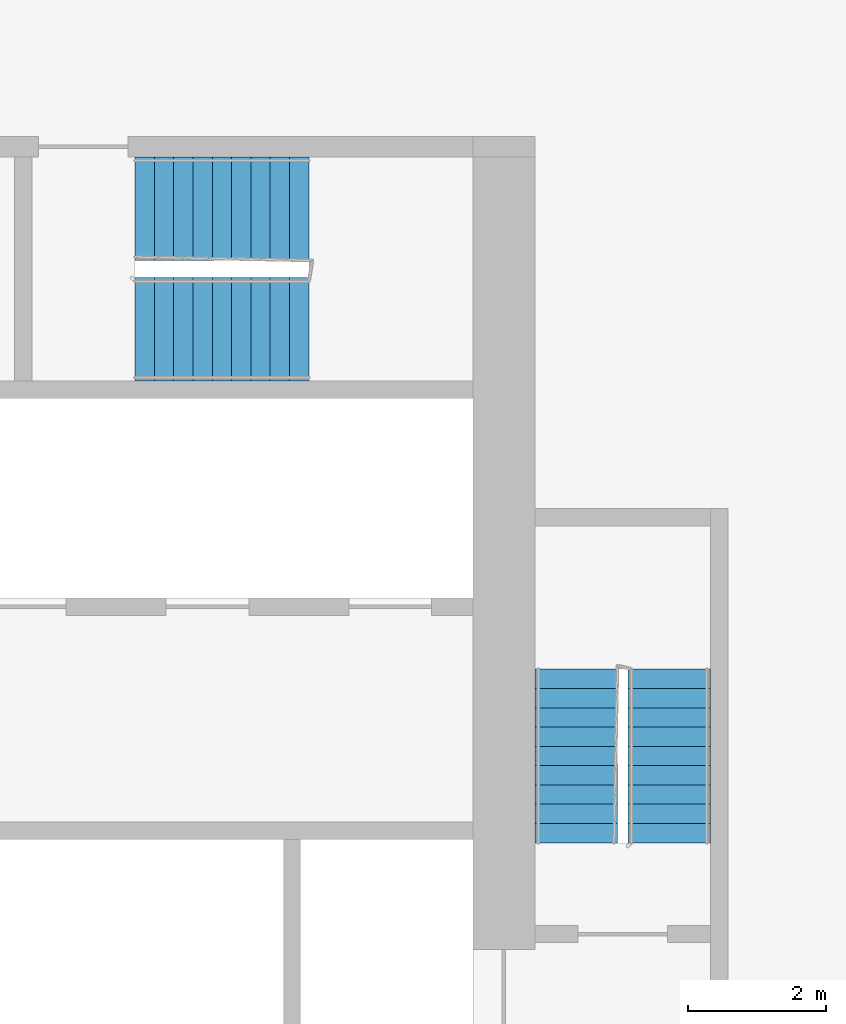
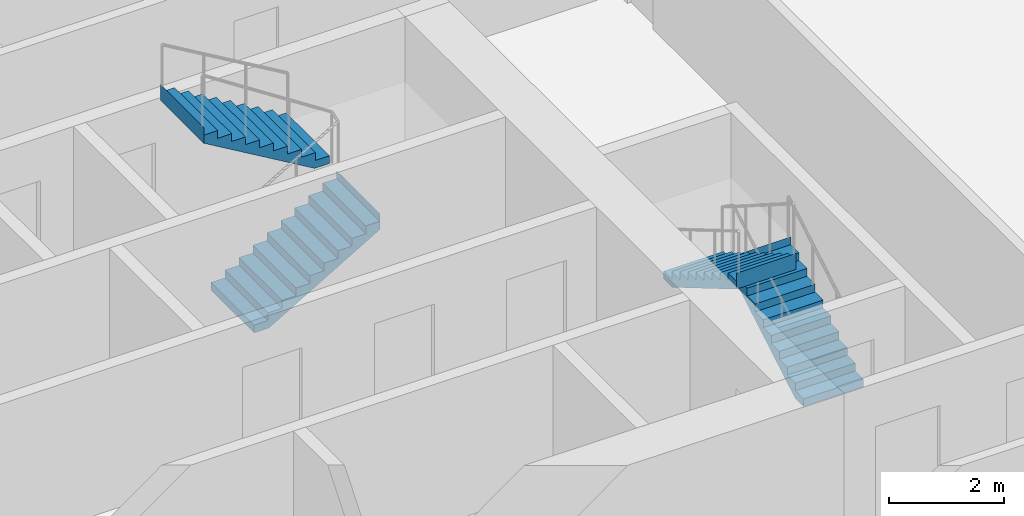
# One storey, part 11 of 12: 4 stair flights, 2 elements without a shape of their own.
"""IFC4 building model written with IfcOpenShell, lengths in metres."""

from ifc_helpers import new_model, si_unit, direction, frame, origin, place, context, subcontext, project, spatial, faceted_brep, material, type_object, element, aggregate, save


model = new_model("IFC4")

# Units and contexts
model_context = context("Model", 3, precision=1e-05, world=origin(), true_north=direction((0.0, 1.0)))
body_context = subcontext(model_context, "Body", "Model", "MODEL_VIEW")
ifc_project = project(units=[si_unit("LENGTHUNIT", "METRE"), si_unit("AREAUNIT", "SQUARE_METRE"), si_unit("VOLUMEUNIT", "CUBIC_METRE"), si_unit("PLANEANGLEUNIT", "RADIAN"), si_unit("MASSUNIT", "GRAM", prefix="KILO")], contexts=[model_context])

# Site, building, storey
site_placement = place(None, origin())
site = spatial("IfcSite", under=ifc_project, at=site_placement, CompositionType="ELEMENT")
building_placement = place(site_placement, origin())
building = spatial("IfcBuilding", under=site, at=building_placement, Name="Kajstack Hotel Tower", CompositionType="ELEMENT")
storey_placement = place(building_placement, frame((0.0, 0.0, 93.0)))
storey = spatial("IfcBuildingStorey", under=building, at=storey_placement, Name="L19", CompositionType="ELEMENT", Elevation=93.0)

# Stair, stair flights
ifc_material = material(Name="Concrete C40/50", Category="concrete")
stair_type_1 = type_object("IfcStairType", Name="Exit stair 1200", PredefinedType="HALF_TURN_STAIR", material=ifc_material)
stair_1_placement = place(storey_placement, origin())
stair_1 = element("IfcStair", 1, at=stair_1_placement, inside=storey, type_object=stair_type_1, Name="L19 stair E1", PredefinedType="HALF_TURN_STAIR")
stair_flight_type_1 = type_object("IfcStairFlightType", Name="Exit stair flight 1200", PredefinedType="STRAIGHT", material=ifc_material)
stair_flight_1_placement = place(storey_placement, frame((33.449951171875, 5.25, 0.0), z_axis=(0.0, 0.0, 1.0), x_axis=(0.0, 1.0, 0.0)))
stair_flight_1 = element("IfcStairFlight", 2, at=stair_flight_1_placement, type_object=stair_flight_type_1, Name="E1 flight 1", NumberOfRisers=10, NumberOfTreads=9, PredefinedType="STRAIGHT", RiserHeight=0.165, TreadLength=0.28, context=body_context, shape_type="Brep", body=[
    faceted_brep([(0.295654296875, -0.60009765625, 0.0), (2.5205078125, -0.60009765625, 1.31103515625), (2.5205078125, -0.60009765625, 1.64990234375), (2.52001953125, -0.60009765625, 1.64990234375), (2.52001953125, -0.60009765625, 1.485107421875), (2.239990234375, -0.60009765625, 1.485107421875), (2.239990234375, -0.60009765625, 1.320068359375), (1.9599609375, -0.60009765625, 1.320068359375), (1.9599609375, -0.60009765625, 1.155029296875), (1.679931640625, -0.60009765625, 1.155029296875), (1.679931640625, -0.60009765625, 0.989990234375), (1.39990234375, -0.60009765625, 0.989990234375), (1.39990234375, -0.60009765625, 0.824951171875), (1.1201171875, -0.60009765625, 0.824951171875), (1.1201171875, -0.60009765625, 0.659912109375), (0.840087890625, -0.60009765625, 0.659912109375), (0.840087890625, -0.60009765625, 0.4951171875), (0.56005859375, -0.60009765625, 0.4951171875), (0.56005859375, -0.60009765625, 0.330078125), (0.280029296875, -0.60009765625, 0.330078125), (0.280029296875, -0.60009765625, 0.1650390625), (-0.00048828125, -0.60009765625, 0.1650390625), (-0.00048828125, -0.60009765625, 0.0), (-0.00048828125, 0.60009765625, 0.0), (-0.00048828125, 0.60009765625, 0.1650390625), (0.280029296875, 0.60009765625, 0.1650390625), (0.280029296875, 0.60009765625, 0.330078125), (0.56005859375, 0.60009765625, 0.330078125), (0.56005859375, 0.60009765625, 0.4951171875), (0.840087890625, 0.60009765625, 0.4951171875), (0.840087890625, 0.60009765625, 0.659912109375), (1.1201171875, 0.60009765625, 0.659912109375), (1.1201171875, 0.60009765625, 0.824951171875), (1.39990234375, 0.60009765625, 0.824951171875), (1.39990234375, 0.60009765625, 0.989990234375), (1.679931640625, 0.60009765625, 0.989990234375), (1.679931640625, 0.60009765625, 1.155029296875), (1.9599609375, 0.60009765625, 1.155029296875), (1.9599609375, 0.60009765625, 1.320068359375), (2.239990234375, 0.60009765625, 1.320068359375), (2.239990234375, 0.60009765625, 1.485107421875), (2.52001953125, 0.60009765625, 1.485107421875), (2.52001953125, 0.60009765625, 1.64990234375), (2.5205078125, 0.60009765625, 1.64990234375), (2.5205078125, 0.60009765625, 1.31103515625), (0.295654296875, 0.60009765625, 0.0), (-0.00048828125, -0.300048828125, 0.1650390625), (-0.00048828125, 0.0, 0.1650390625), (-0.00048828125, 0.300048828125, 0.1650390625), (-0.00048828125, 0.300048828125, 0.0), (-0.00048828125, 0.0, 0.0), (-0.00048828125, -0.300048828125, 0.0), (0.280029296875, -0.300048828125, 0.1650390625), (0.280029296875, 0.0, 0.1650390625), (0.280029296875, 0.300048828125, 0.1650390625), (0.280029296875, -0.300048828125, 0.330078125), (0.280029296875, 0.0, 0.330078125), (0.280029296875, 0.300048828125, 0.330078125), (0.56005859375, -0.300048828125, 0.330078125), (0.56005859375, 0.0, 0.330078125), (0.56005859375, 0.300048828125, 0.330078125), (0.56005859375, -0.300048828125, 0.4951171875), (0.56005859375, 0.0, 0.4951171875), (0.56005859375, 0.300048828125, 0.4951171875), (0.840087890625, -0.300048828125, 0.4951171875), (0.840087890625, 0.0, 0.4951171875), (0.840087890625, 0.300048828125, 0.4951171875), (0.840087890625, -0.300048828125, 0.659912109375), (0.840087890625, 0.0, 0.659912109375), (0.840087890625, 0.300048828125, 0.659912109375), (1.1201171875, -0.300048828125, 0.659912109375), (1.1201171875, 0.0, 0.659912109375), (1.1201171875, 0.300048828125, 0.659912109375), (1.1201171875, -0.300048828125, 0.824951171875), (1.1201171875, 0.0, 0.824951171875), (1.1201171875, 0.300048828125, 0.824951171875), (1.39990234375, -0.300048828125, 0.824951171875), (1.39990234375, 0.0, 0.824951171875), (1.39990234375, 0.300048828125, 0.824951171875), (1.39990234375, -0.300048828125, 0.989990234375), (1.39990234375, 0.0, 0.989990234375), (1.39990234375, 0.300048828125, 0.989990234375), (1.679931640625, -0.300048828125, 0.989990234375), (1.679931640625, 0.0, 0.989990234375), (1.679931640625, 0.300048828125, 0.989990234375), (1.679931640625, -0.300048828125, 1.155029296875), (1.679931640625, 0.0, 1.155029296875), (1.679931640625, 0.300048828125, 1.155029296875), (1.9599609375, -0.300048828125, 1.155029296875), (1.9599609375, 0.0, 1.155029296875), (1.9599609375, 0.300048828125, 1.155029296875), (1.9599609375, -0.300048828125, 1.320068359375), (1.9599609375, 0.0, 1.320068359375), (1.9599609375, 0.300048828125, 1.320068359375), (2.239990234375, -0.300048828125, 1.320068359375), (2.239990234375, 0.0, 1.320068359375), (2.239990234375, 0.300048828125, 1.320068359375), (2.239990234375, -0.300048828125, 1.485107421875), (2.239990234375, 0.0, 1.485107421875), (2.239990234375, 0.300048828125, 1.485107421875), (2.52001953125, -0.300048828125, 1.485107421875), (2.52001953125, 0.0, 1.485107421875), (2.52001953125, 0.300048828125, 1.485107421875), (2.52001953125, -0.300048828125, 1.64990234375), (2.52001953125, 0.0, 1.64990234375), (2.52001953125, 0.300048828125, 1.64990234375), (2.5205078125, -0.300048828125, 1.64990234375), (2.5205078125, 0.0, 1.64990234375), (2.5205078125, 0.300048828125, 1.64990234375), (2.5205078125, -0.300048828125, 1.31103515625), (2.5205078125, 0.0, 1.31103515625), (2.5205078125, 0.300048828125, 1.31103515625), (0.295654296875, -0.300048828125, 0.0), (0.295654296875, 0.0, 0.0), (0.295654296875, 0.300048828125, 0.0)], [[[0, 1, 2, 3, 4, 5, 6, 7, 8, 9, 10, 11, 12, 13, 14, 15, 16, 17, 18, 19, 20, 21, 22]], [[23, 24, 25, 26, 27, 28, 29, 30, 31, 32, 33, 34, 35, 36, 37, 38, 39, 40, 41, 42, 43, 44, 45]], [[21, 46, 47, 48, 24, 23, 49, 50, 51, 22]], [[20, 52, 53, 54, 25, 24, 48, 47, 46, 21]], [[19, 55, 56, 57, 26, 25, 54, 53, 52, 20]], [[18, 58, 59, 60, 27, 26, 57, 56, 55, 19]], [[17, 61, 62, 63, 28, 27, 60, 59, 58, 18]], [[16, 64, 65, 66, 29, 28, 63, 62, 61, 17]], [[15, 67, 68, 69, 30, 29, 66, 65, 64, 16]], [[14, 70, 71, 72, 31, 30, 69, 68, 67, 15]], [[13, 73, 74, 75, 32, 31, 72, 71, 70, 14]], [[12, 76, 77, 78, 33, 32, 75, 74, 73, 13]], [[11, 79, 80, 81, 34, 33, 78, 77, 76, 12]], [[10, 82, 83, 84, 35, 34, 81, 80, 79, 11]], [[9, 85, 86, 87, 36, 35, 84, 83, 82, 10]], [[8, 88, 89, 90, 37, 36, 87, 86, 85, 9]], [[7, 91, 92, 93, 38, 37, 90, 89, 88, 8]], [[6, 94, 95, 96, 39, 38, 93, 92, 91, 7]], [[5, 97, 98, 99, 40, 39, 96, 95, 94, 6]], [[4, 100, 101, 102, 41, 40, 99, 98, 97, 5]], [[3, 103, 104, 105, 42, 41, 102, 101, 100, 4]], [[2, 106, 107, 108, 43, 42, 105, 104, 103, 3]], [[1, 109, 110, 111, 44, 43, 108, 107, 106, 2]], [[0, 112, 113, 114, 45, 44, 111, 110, 109, 1]], [[22, 51, 50, 49, 23, 45, 114, 113, 112, 0]]]),
])
stair_flight_2_placement = place(storey_placement, frame((32.10009765625, 7.77001953125, 1.64990234375), z_axis=(0.0, 0.0, 1.0), x_axis=(0.0, -1.0, 0.0)))
stair_flight_2 = element("IfcStairFlight", 3, at=stair_flight_2_placement, type_object=stair_flight_type_1, Name="E1 flight 2", NumberOfRisers=10, NumberOfTreads=9, PredefinedType="STRAIGHT", RiserHeight=0.165, TreadLength=0.28, context=body_context, shape_type="Brep", body=[
    faceted_brep([(0.295654296875, -0.60009765625, 0.0), (2.5205078125, -0.60009765625, 1.31103515625), (2.5205078125, -0.60009765625, 1.64990234375), (2.52001953125, -0.60009765625, 1.64990234375), (2.52001953125, -0.60009765625, 1.485107421875), (2.239990234375, -0.60009765625, 1.485107421875), (2.239990234375, -0.60009765625, 1.320068359375), (1.9599609375, -0.60009765625, 1.320068359375), (1.9599609375, -0.60009765625, 1.155029296875), (1.679931640625, -0.60009765625, 1.155029296875), (1.679931640625, -0.60009765625, 0.989990234375), (1.39990234375, -0.60009765625, 0.989990234375), (1.39990234375, -0.60009765625, 0.824951171875), (1.1201171875, -0.60009765625, 0.824951171875), (1.1201171875, -0.60009765625, 0.659912109375), (0.840087890625, -0.60009765625, 0.659912109375), (0.840087890625, -0.60009765625, 0.4951171875), (0.56005859375, -0.60009765625, 0.4951171875), (0.56005859375, -0.60009765625, 0.330078125), (0.280029296875, -0.60009765625, 0.330078125), (0.280029296875, -0.60009765625, 0.1650390625), (-0.00048828125, -0.60009765625, 0.1650390625), (-0.00048828125, -0.60009765625, 0.0), (-0.00048828125, 0.60009765625, 0.0), (-0.00048828125, 0.60009765625, 0.1650390625), (0.280029296875, 0.60009765625, 0.1650390625), (0.280029296875, 0.60009765625, 0.330078125), (0.56005859375, 0.60009765625, 0.330078125), (0.56005859375, 0.60009765625, 0.4951171875), (0.840087890625, 0.60009765625, 0.4951171875), (0.840087890625, 0.60009765625, 0.659912109375), (1.1201171875, 0.60009765625, 0.659912109375), (1.1201171875, 0.60009765625, 0.824951171875), (1.39990234375, 0.60009765625, 0.824951171875), (1.39990234375, 0.60009765625, 0.989990234375), (1.679931640625, 0.60009765625, 0.989990234375), (1.679931640625, 0.60009765625, 1.155029296875), (1.9599609375, 0.60009765625, 1.155029296875), (1.9599609375, 0.60009765625, 1.320068359375), (2.239990234375, 0.60009765625, 1.320068359375), (2.239990234375, 0.60009765625, 1.485107421875), (2.52001953125, 0.60009765625, 1.485107421875), (2.52001953125, 0.60009765625, 1.64990234375), (2.5205078125, 0.60009765625, 1.64990234375), (2.5205078125, 0.60009765625, 1.31103515625), (0.295654296875, 0.60009765625, 0.0), (-0.00048828125, -0.300048828125, 0.1650390625), (-0.00048828125, 0.0, 0.1650390625), (-0.00048828125, 0.300048828125, 0.1650390625), (-0.00048828125, 0.300048828125, 0.0), (-0.00048828125, 0.0, 0.0), (-0.00048828125, -0.300048828125, 0.0), (0.280029296875, -0.300048828125, 0.1650390625), (0.280029296875, 0.0, 0.1650390625), (0.280029296875, 0.300048828125, 0.1650390625), (0.280029296875, -0.300048828125, 0.330078125), (0.280029296875, 0.0, 0.330078125), (0.280029296875, 0.300048828125, 0.330078125), (0.56005859375, -0.300048828125, 0.330078125), (0.56005859375, 0.0, 0.330078125), (0.56005859375, 0.300048828125, 0.330078125), (0.56005859375, -0.300048828125, 0.4951171875), (0.56005859375, 0.0, 0.4951171875), (0.56005859375, 0.300048828125, 0.4951171875), (0.840087890625, -0.300048828125, 0.4951171875), (0.840087890625, 0.0, 0.4951171875), (0.840087890625, 0.300048828125, 0.4951171875), (0.840087890625, -0.300048828125, 0.659912109375), (0.840087890625, 0.0, 0.659912109375), (0.840087890625, 0.300048828125, 0.659912109375), (1.1201171875, -0.300048828125, 0.659912109375), (1.1201171875, 0.0, 0.659912109375), (1.1201171875, 0.300048828125, 0.659912109375), (1.1201171875, -0.300048828125, 0.824951171875), (1.1201171875, 0.0, 0.824951171875), (1.1201171875, 0.300048828125, 0.824951171875), (1.39990234375, -0.300048828125, 0.824951171875), (1.39990234375, 0.0, 0.824951171875), (1.39990234375, 0.300048828125, 0.824951171875), (1.39990234375, -0.300048828125, 0.989990234375), (1.39990234375, 0.0, 0.989990234375), (1.39990234375, 0.300048828125, 0.989990234375), (1.679931640625, -0.300048828125, 0.989990234375), (1.679931640625, 0.0, 0.989990234375), (1.679931640625, 0.300048828125, 0.989990234375), (1.679931640625, -0.300048828125, 1.155029296875), (1.679931640625, 0.0, 1.155029296875), (1.679931640625, 0.300048828125, 1.155029296875), (1.9599609375, -0.300048828125, 1.155029296875), (1.9599609375, 0.0, 1.155029296875), (1.9599609375, 0.300048828125, 1.155029296875), (1.9599609375, -0.300048828125, 1.320068359375), (1.9599609375, 0.0, 1.320068359375), (1.9599609375, 0.300048828125, 1.320068359375), (2.239990234375, -0.300048828125, 1.320068359375), (2.239990234375, 0.0, 1.320068359375), (2.239990234375, 0.300048828125, 1.320068359375), (2.239990234375, -0.300048828125, 1.485107421875), (2.239990234375, 0.0, 1.485107421875), (2.239990234375, 0.300048828125, 1.485107421875), (2.52001953125, -0.300048828125, 1.485107421875), (2.52001953125, 0.0, 1.485107421875), (2.52001953125, 0.300048828125, 1.485107421875), (2.52001953125, -0.300048828125, 1.64990234375), (2.52001953125, 0.0, 1.64990234375), (2.52001953125, 0.300048828125, 1.64990234375), (2.5205078125, -0.300048828125, 1.64990234375), (2.5205078125, 0.0, 1.64990234375), (2.5205078125, 0.300048828125, 1.64990234375), (2.5205078125, -0.300048828125, 1.31103515625), (2.5205078125, 0.0, 1.31103515625), (2.5205078125, 0.300048828125, 1.31103515625), (0.295654296875, -0.300048828125, 0.0), (0.295654296875, 0.0, 0.0), (0.295654296875, 0.300048828125, 0.0)], [[[0, 1, 2, 3, 4, 5, 6, 7, 8, 9, 10, 11, 12, 13, 14, 15, 16, 17, 18, 19, 20, 21, 22]], [[23, 24, 25, 26, 27, 28, 29, 30, 31, 32, 33, 34, 35, 36, 37, 38, 39, 40, 41, 42, 43, 44, 45]], [[21, 46, 47, 48, 24, 23, 49, 50, 51, 22]], [[20, 52, 53, 54, 25, 24, 48, 47, 46, 21]], [[19, 55, 56, 57, 26, 25, 54, 53, 52, 20]], [[18, 58, 59, 60, 27, 26, 57, 56, 55, 19]], [[17, 61, 62, 63, 28, 27, 60, 59, 58, 18]], [[16, 64, 65, 66, 29, 28, 63, 62, 61, 17]], [[15, 67, 68, 69, 30, 29, 66, 65, 64, 16]], [[14, 70, 71, 72, 31, 30, 69, 68, 67, 15]], [[13, 73, 74, 75, 32, 31, 72, 71, 70, 14]], [[12, 76, 77, 78, 33, 32, 75, 74, 73, 13]], [[11, 79, 80, 81, 34, 33, 78, 77, 76, 12]], [[10, 82, 83, 84, 35, 34, 81, 80, 79, 11]], [[9, 85, 86, 87, 36, 35, 84, 83, 82, 10]], [[8, 88, 89, 90, 37, 36, 87, 86, 85, 9]], [[7, 91, 92, 93, 38, 37, 90, 89, 88, 8]], [[6, 94, 95, 96, 39, 38, 93, 92, 91, 7]], [[5, 97, 98, 99, 40, 39, 96, 95, 94, 6]], [[4, 100, 101, 102, 41, 40, 99, 98, 97, 5]], [[3, 103, 104, 105, 42, 41, 102, 101, 100, 4]], [[2, 106, 107, 108, 43, 42, 105, 104, 103, 3]], [[1, 109, 110, 111, 44, 43, 108, 107, 106, 2]], [[0, 112, 113, 114, 45, 44, 111, 110, 109, 1]], [[22, 51, 50, 49, 23, 45, 114, 113, 112, 0]]]),
])
aggregate(stair_1, [stair_flight_1, stair_flight_2])

stair_type_2 = type_object("IfcStairType", Name="Exit stair 1500", PredefinedType="HALF_TURN_STAIR", material=ifc_material)
stair_2_placement = place(storey_placement, origin())
stair_2 = element("IfcStair", 4, at=stair_2_placement, inside=storey, type_object=stair_type_2, Name="L19 stair E3", PredefinedType="HALF_TURN_STAIR")
stair_flight_type_2 = type_object("IfcStairFlightType", Name="Exit stair flight 1500", PredefinedType="STRAIGHT", material=ifc_material)
stair_flight_3_placement = place(storey_placement, frame((25.699951171875, 12.699951171875, 0.0), z_axis=(0.0, 0.0, 1.0), x_axis=(1.0, 0.0, 0.0)))
stair_flight_3 = element("IfcStairFlight", 5, at=stair_flight_3_placement, type_object=stair_flight_type_2, Name="E3 flight 1", NumberOfRisers=10, NumberOfTreads=9, PredefinedType="STRAIGHT", RiserHeight=0.165, TreadLength=0.28, context=body_context, shape_type="Brep", body=[
    faceted_brep([(0.295654296875, -0.75, 0.0), (2.5205078125, -0.75, 1.31103515625), (2.5205078125, -0.75, 1.64990234375), (2.52001953125, -0.75, 1.64990234375), (2.52001953125, -0.75, 1.485107421875), (2.239990234375, -0.75, 1.485107421875), (2.239990234375, -0.75, 1.320068359375), (1.9599609375, -0.75, 1.320068359375), (1.9599609375, -0.75, 1.155029296875), (1.679931640625, -0.75, 1.155029296875), (1.679931640625, -0.75, 0.989990234375), (1.39990234375, -0.75, 0.989990234375), (1.39990234375, -0.75, 0.824951171875), (1.1201171875, -0.75, 0.824951171875), (1.1201171875, -0.75, 0.659912109375), (0.840087890625, -0.75, 0.659912109375), (0.840087890625, -0.75, 0.4951171875), (0.56005859375, -0.75, 0.4951171875), (0.56005859375, -0.75, 0.330078125), (0.280029296875, -0.75, 0.330078125), (0.280029296875, -0.75, 0.1650390625), (-0.00048828125, -0.75, 0.1650390625), (-0.00048828125, -0.75, 0.0), (-0.00048828125, 0.75, 0.0), (-0.00048828125, 0.75, 0.1650390625), (0.280029296875, 0.75, 0.1650390625), (0.280029296875, 0.75, 0.330078125), (0.56005859375, 0.75, 0.330078125), (0.56005859375, 0.75, 0.4951171875), (0.840087890625, 0.75, 0.4951171875), (0.840087890625, 0.75, 0.659912109375), (1.1201171875, 0.75, 0.659912109375), (1.1201171875, 0.75, 0.824951171875), (1.39990234375, 0.75, 0.824951171875), (1.39990234375, 0.75, 0.989990234375), (1.679931640625, 0.75, 0.989990234375), (1.679931640625, 0.75, 1.155029296875), (1.9599609375, 0.75, 1.155029296875), (1.9599609375, 0.75, 1.320068359375), (2.239990234375, 0.75, 1.320068359375), (2.239990234375, 0.75, 1.485107421875), (2.52001953125, 0.75, 1.485107421875), (2.52001953125, 0.75, 1.64990234375), (2.5205078125, 0.75, 1.64990234375), (2.5205078125, 0.75, 1.31103515625), (0.295654296875, 0.75, 0.0), (-0.00048828125, -0.375, 0.1650390625), (-0.00048828125, 0.0, 0.1650390625), (-0.00048828125, 0.375, 0.1650390625), (-0.00048828125, 0.375, 0.0), (-0.00048828125, 0.0, 0.0), (-0.00048828125, -0.375, 0.0), (0.280029296875, -0.375, 0.1650390625), (0.280029296875, 0.0, 0.1650390625), (0.280029296875, 0.375, 0.1650390625), (0.280029296875, -0.375, 0.330078125), (0.280029296875, 0.0, 0.330078125), (0.280029296875, 0.375, 0.330078125), (0.56005859375, -0.375, 0.330078125), (0.56005859375, 0.0, 0.330078125), (0.56005859375, 0.375, 0.330078125), (0.56005859375, -0.375, 0.4951171875), (0.56005859375, 0.0, 0.4951171875), (0.56005859375, 0.375, 0.4951171875), (0.840087890625, -0.375, 0.4951171875), (0.840087890625, 0.0, 0.4951171875), (0.840087890625, 0.375, 0.4951171875), (0.840087890625, -0.375, 0.659912109375), (0.840087890625, 0.0, 0.659912109375), (0.840087890625, 0.375, 0.659912109375), (1.1201171875, -0.375, 0.659912109375), (1.1201171875, 0.0, 0.659912109375), (1.1201171875, 0.375, 0.659912109375), (1.1201171875, -0.375, 0.824951171875), (1.1201171875, 0.0, 0.824951171875), (1.1201171875, 0.375, 0.824951171875), (1.39990234375, -0.375, 0.824951171875), (1.39990234375, 0.0, 0.824951171875), (1.39990234375, 0.375, 0.824951171875), (1.39990234375, -0.375, 0.989990234375), (1.39990234375, 0.0, 0.989990234375), (1.39990234375, 0.375, 0.989990234375), (1.679931640625, -0.375, 0.989990234375), (1.679931640625, 0.0, 0.989990234375), (1.679931640625, 0.375, 0.989990234375), (1.679931640625, -0.375, 1.155029296875), (1.679931640625, 0.0, 1.155029296875), (1.679931640625, 0.375, 1.155029296875), (1.9599609375, -0.375, 1.155029296875), (1.9599609375, 0.0, 1.155029296875), (1.9599609375, 0.375, 1.155029296875), (1.9599609375, -0.375, 1.320068359375), (1.9599609375, 0.0, 1.320068359375), (1.9599609375, 0.375, 1.320068359375), (2.239990234375, -0.375, 1.320068359375), (2.239990234375, 0.0, 1.320068359375), (2.239990234375, 0.375, 1.320068359375), (2.239990234375, -0.375, 1.485107421875), (2.239990234375, 0.0, 1.485107421875), (2.239990234375, 0.375, 1.485107421875), (2.52001953125, -0.375, 1.485107421875), (2.52001953125, 0.0, 1.485107421875), (2.52001953125, 0.375, 1.485107421875), (2.52001953125, -0.375, 1.64990234375), (2.52001953125, 0.0, 1.64990234375), (2.52001953125, 0.375, 1.64990234375), (2.5205078125, -0.375, 1.64990234375), (2.5205078125, 0.0, 1.64990234375), (2.5205078125, 0.375, 1.64990234375), (2.5205078125, -0.375, 1.31103515625), (2.5205078125, 0.0, 1.31103515625), (2.5205078125, 0.375, 1.31103515625), (0.295654296875, -0.375, 0.0), (0.295654296875, 0.0, 0.0), (0.295654296875, 0.375, 0.0)], [[[0, 1, 2, 3, 4, 5, 6, 7, 8, 9, 10, 11, 12, 13, 14, 15, 16, 17, 18, 19, 20, 21, 22]], [[23, 24, 25, 26, 27, 28, 29, 30, 31, 32, 33, 34, 35, 36, 37, 38, 39, 40, 41, 42, 43, 44, 45]], [[21, 46, 47, 48, 24, 23, 49, 50, 51, 22]], [[20, 52, 53, 54, 25, 24, 48, 47, 46, 21]], [[19, 55, 56, 57, 26, 25, 54, 53, 52, 20]], [[18, 58, 59, 60, 27, 26, 57, 56, 55, 19]], [[17, 61, 62, 63, 28, 27, 60, 59, 58, 18]], [[16, 64, 65, 66, 29, 28, 63, 62, 61, 17]], [[15, 67, 68, 69, 30, 29, 66, 65, 64, 16]], [[14, 70, 71, 72, 31, 30, 69, 68, 67, 15]], [[13, 73, 74, 75, 32, 31, 72, 71, 70, 14]], [[12, 76, 77, 78, 33, 32, 75, 74, 73, 13]], [[11, 79, 80, 81, 34, 33, 78, 77, 76, 12]], [[10, 82, 83, 84, 35, 34, 81, 80, 79, 11]], [[9, 85, 86, 87, 36, 35, 84, 83, 82, 10]], [[8, 88, 89, 90, 37, 36, 87, 86, 85, 9]], [[7, 91, 92, 93, 38, 37, 90, 89, 88, 8]], [[6, 94, 95, 96, 39, 38, 93, 92, 91, 7]], [[5, 97, 98, 99, 40, 39, 96, 95, 94, 6]], [[4, 100, 101, 102, 41, 40, 99, 98, 97, 5]], [[3, 103, 104, 105, 42, 41, 102, 101, 100, 4]], [[2, 106, 107, 108, 43, 42, 105, 104, 103, 3]], [[1, 109, 110, 111, 44, 43, 108, 107, 106, 2]], [[0, 112, 113, 114, 45, 44, 111, 110, 109, 1]], [[22, 51, 50, 49, 23, 45, 114, 113, 112, 0]]]),
])
stair_flight_4_placement = place(storey_placement, frame((28.219970703125, 14.449951171875, 1.64990234375), z_axis=(0.0, 0.0, 1.0), x_axis=(-1.0, 0.0, 0.0)))
stair_flight_4 = element("IfcStairFlight", 6, at=stair_flight_4_placement, type_object=stair_flight_type_2, Name="E3 flight 2", NumberOfRisers=10, NumberOfTreads=9, PredefinedType="STRAIGHT", RiserHeight=0.165, TreadLength=0.28, context=body_context, shape_type="Brep", body=[
    faceted_brep([(0.295654296875, -0.75, 0.0), (2.5205078125, -0.75, 1.31103515625), (2.5205078125, -0.75, 1.64990234375), (2.52001953125, -0.75, 1.64990234375), (2.52001953125, -0.75, 1.485107421875), (2.239990234375, -0.75, 1.485107421875), (2.239990234375, -0.75, 1.320068359375), (1.9599609375, -0.75, 1.320068359375), (1.9599609375, -0.75, 1.155029296875), (1.679931640625, -0.75, 1.155029296875), (1.679931640625, -0.75, 0.989990234375), (1.39990234375, -0.75, 0.989990234375), (1.39990234375, -0.75, 0.824951171875), (1.1201171875, -0.75, 0.824951171875), (1.1201171875, -0.75, 0.659912109375), (0.840087890625, -0.75, 0.659912109375), (0.840087890625, -0.75, 0.4951171875), (0.56005859375, -0.75, 0.4951171875), (0.56005859375, -0.75, 0.330078125), (0.280029296875, -0.75, 0.330078125), (0.280029296875, -0.75, 0.1650390625), (-0.00048828125, -0.75, 0.1650390625), (-0.00048828125, -0.75, 0.0), (-0.00048828125, 0.75, 0.0), (-0.00048828125, 0.75, 0.1650390625), (0.280029296875, 0.75, 0.1650390625), (0.280029296875, 0.75, 0.330078125), (0.56005859375, 0.75, 0.330078125), (0.56005859375, 0.75, 0.4951171875), (0.840087890625, 0.75, 0.4951171875), (0.840087890625, 0.75, 0.659912109375), (1.1201171875, 0.75, 0.659912109375), (1.1201171875, 0.75, 0.824951171875), (1.39990234375, 0.75, 0.824951171875), (1.39990234375, 0.75, 0.989990234375), (1.679931640625, 0.75, 0.989990234375), (1.679931640625, 0.75, 1.155029296875), (1.9599609375, 0.75, 1.155029296875), (1.9599609375, 0.75, 1.320068359375), (2.239990234375, 0.75, 1.320068359375), (2.239990234375, 0.75, 1.485107421875), (2.52001953125, 0.75, 1.485107421875), (2.52001953125, 0.75, 1.64990234375), (2.5205078125, 0.75, 1.64990234375), (2.5205078125, 0.75, 1.31103515625), (0.295654296875, 0.75, 0.0), (-0.00048828125, -0.375, 0.1650390625), (-0.00048828125, 0.0, 0.1650390625), (-0.00048828125, 0.375, 0.1650390625), (-0.00048828125, 0.375, 0.0), (-0.00048828125, 0.0, 0.0), (-0.00048828125, -0.375, 0.0), (0.280029296875, -0.375, 0.1650390625), (0.280029296875, 0.0, 0.1650390625), (0.280029296875, 0.375, 0.1650390625), (0.280029296875, -0.375, 0.330078125), (0.280029296875, 0.0, 0.330078125), (0.280029296875, 0.375, 0.330078125), (0.56005859375, -0.375, 0.330078125), (0.56005859375, 0.0, 0.330078125), (0.56005859375, 0.375, 0.330078125), (0.56005859375, -0.375, 0.4951171875), (0.56005859375, 0.0, 0.4951171875), (0.56005859375, 0.375, 0.4951171875), (0.840087890625, -0.375, 0.4951171875), (0.840087890625, 0.0, 0.4951171875), (0.840087890625, 0.375, 0.4951171875), (0.840087890625, -0.375, 0.659912109375), (0.840087890625, 0.0, 0.659912109375), (0.840087890625, 0.375, 0.659912109375), (1.1201171875, -0.375, 0.659912109375), (1.1201171875, 0.0, 0.659912109375), (1.1201171875, 0.375, 0.659912109375), (1.1201171875, -0.375, 0.824951171875), (1.1201171875, 0.0, 0.824951171875), (1.1201171875, 0.375, 0.824951171875), (1.39990234375, -0.375, 0.824951171875), (1.39990234375, 0.0, 0.824951171875), (1.39990234375, 0.375, 0.824951171875), (1.39990234375, -0.375, 0.989990234375), (1.39990234375, 0.0, 0.989990234375), (1.39990234375, 0.375, 0.989990234375), (1.679931640625, -0.375, 0.989990234375), (1.679931640625, 0.0, 0.989990234375), (1.679931640625, 0.375, 0.989990234375), (1.679931640625, -0.375, 1.155029296875), (1.679931640625, 0.0, 1.155029296875), (1.679931640625, 0.375, 1.155029296875), (1.9599609375, -0.375, 1.155029296875), (1.9599609375, 0.0, 1.155029296875), (1.9599609375, 0.375, 1.155029296875), (1.9599609375, -0.375, 1.320068359375), (1.9599609375, 0.0, 1.320068359375), (1.9599609375, 0.375, 1.320068359375), (2.239990234375, -0.375, 1.320068359375), (2.239990234375, 0.0, 1.320068359375), (2.239990234375, 0.375, 1.320068359375), (2.239990234375, -0.375, 1.485107421875), (2.239990234375, 0.0, 1.485107421875), (2.239990234375, 0.375, 1.485107421875), (2.52001953125, -0.375, 1.485107421875), (2.52001953125, 0.0, 1.485107421875), (2.52001953125, 0.375, 1.485107421875), (2.52001953125, -0.375, 1.64990234375), (2.52001953125, 0.0, 1.64990234375), (2.52001953125, 0.375, 1.64990234375), (2.5205078125, -0.375, 1.64990234375), (2.5205078125, 0.0, 1.64990234375), (2.5205078125, 0.375, 1.64990234375), (2.5205078125, -0.375, 1.31103515625), (2.5205078125, 0.0, 1.31103515625), (2.5205078125, 0.375, 1.31103515625), (0.295654296875, -0.375, 0.0), (0.295654296875, 0.0, 0.0), (0.295654296875, 0.375, 0.0)], [[[0, 1, 2, 3, 4, 5, 6, 7, 8, 9, 10, 11, 12, 13, 14, 15, 16, 17, 18, 19, 20, 21, 22]], [[23, 24, 25, 26, 27, 28, 29, 30, 31, 32, 33, 34, 35, 36, 37, 38, 39, 40, 41, 42, 43, 44, 45]], [[21, 46, 47, 48, 24, 23, 49, 50, 51, 22]], [[20, 52, 53, 54, 25, 24, 48, 47, 46, 21]], [[19, 55, 56, 57, 26, 25, 54, 53, 52, 20]], [[18, 58, 59, 60, 27, 26, 57, 56, 55, 19]], [[17, 61, 62, 63, 28, 27, 60, 59, 58, 18]], [[16, 64, 65, 66, 29, 28, 63, 62, 61, 17]], [[15, 67, 68, 69, 30, 29, 66, 65, 64, 16]], [[14, 70, 71, 72, 31, 30, 69, 68, 67, 15]], [[13, 73, 74, 75, 32, 31, 72, 71, 70, 14]], [[12, 76, 77, 78, 33, 32, 75, 74, 73, 13]], [[11, 79, 80, 81, 34, 33, 78, 77, 76, 12]], [[10, 82, 83, 84, 35, 34, 81, 80, 79, 11]], [[9, 85, 86, 87, 36, 35, 84, 83, 82, 10]], [[8, 88, 89, 90, 37, 36, 87, 86, 85, 9]], [[7, 91, 92, 93, 38, 37, 90, 89, 88, 8]], [[6, 94, 95, 96, 39, 38, 93, 92, 91, 7]], [[5, 97, 98, 99, 40, 39, 96, 95, 94, 6]], [[4, 100, 101, 102, 41, 40, 99, 98, 97, 5]], [[3, 103, 104, 105, 42, 41, 102, 101, 100, 4]], [[2, 106, 107, 108, 43, 42, 105, 104, 103, 3]], [[1, 109, 110, 111, 44, 43, 108, 107, 106, 2]], [[0, 112, 113, 114, 45, 44, 111, 110, 109, 1]], [[22, 51, 50, 49, 23, 45, 114, 113, 112, 0]]]),
])
aggregate(stair_2, [stair_flight_3, stair_flight_4])

save(model, "model.ifc")
